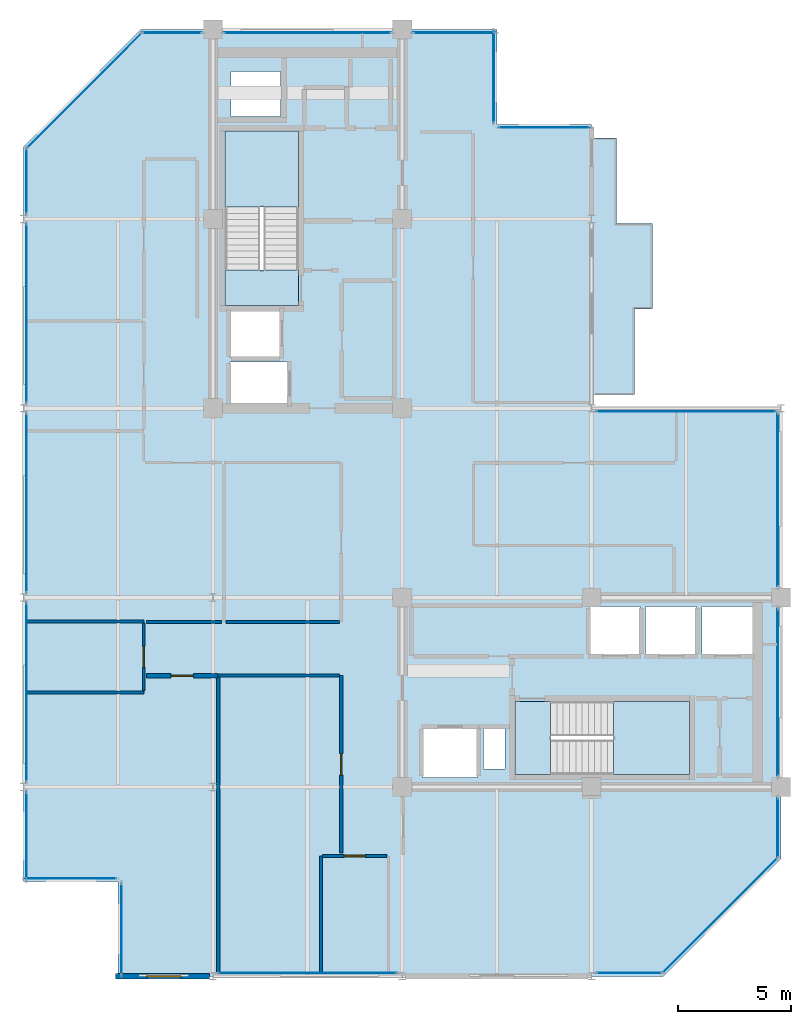
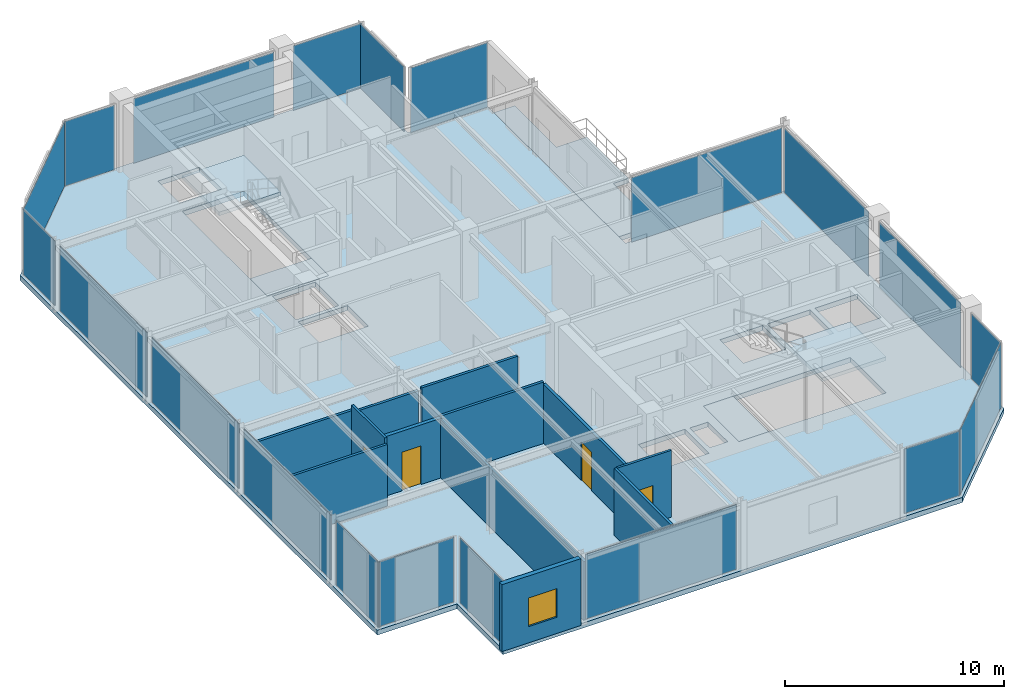
# One storey, part 19 of 24: 20 plates, 12 walls, 6 slabs, 4 doors, 1 window, 5 openings, 22 elements without a shape of their own.
"""IFC4 building model written with IfcOpenShell, lengths in metres."""

from ifc_helpers import new_model, si_unit, direction, frame, frame_2d, origin, origin_2d, place, context, subcontext, project, spatial, polyline, rectangle, outline, extrude, material, layer, layer_set, type_object, element, fill, aggregate, save


model = new_model("IFC4")

# Units and contexts
model_context = context("Model", 3, precision=1e-05, world=origin(), true_north=direction((0.0, 1.0)))
body_context = subcontext(model_context, "Body", "Model", "MODEL_VIEW")
ifc_project = project(units=[si_unit("LENGTHUNIT", "METRE"), si_unit("AREAUNIT", "SQUARE_METRE"), si_unit("VOLUMEUNIT", "CUBIC_METRE"), si_unit("PLANEANGLEUNIT", "RADIAN"), si_unit("MASSUNIT", "GRAM", prefix="KILO")], contexts=[model_context])

# Site, building, storey
site_placement = place(None, origin())
site = spatial("IfcSite", under=ifc_project, at=site_placement, CompositionType="ELEMENT")
building_placement = place(site_placement, origin())
building = spatial("IfcBuilding", under=site, at=building_placement, Name="Nerrivon Quay Data Exchange", CompositionType="ELEMENT")
storey_placement = place(building_placement, frame((0.0, 0.0, 310.199951171875)))
storey = spatial("IfcBuildingStorey", under=building, at=storey_placement, Name="L74", CompositionType="ELEMENT", Elevation=310.199951171875)

# Curtain wall, plate
ifc_material_1 = material(Name="Anodised aluminium 6063-T6", Category="aluminium")
ifc_layer_1 = layer(ifc_material_1, 0.195068359375)
ifc_layer_set_1 = layer_set([ifc_layer_1], Name="Anodised aluminium 6063-T6")
curtain_wall_type = type_object("IfcCurtainWallType", Name="CW-SYS-06", PredefinedType="NOTDEFINED", material=ifc_layer_set_1)
curtain_wall_1_placement = place(storey_placement, origin())
curtain_wall_1 = element("IfcCurtainWall", 1, at=curtain_wall_1_placement, inside=storey, type_object=curtain_wall_type, Name="L74 Unitised Curtain Wall 1", PredefinedType="NOTDEFINED")
ifc_material_2 = material(Name="Double-glazed low-E solar control glass", Category="glass")
ifc_layer_2 = layer(ifc_material_2, 0.028076171875)
ifc_layer_set_2 = layer_set([ifc_layer_2], Name="Double-glazed low-E solar control glass")
plate_type = type_object("IfcPlateType", Name="CWP-GLZ-28", PredefinedType="CURTAIN_PANEL", material=ifc_layer_set_2)
plate_1_placement = place(storey_placement, frame((30.90087890625, 2.698974609375, 0.06494140625), z_axis=(0.0, 0.0, 1.0), x_axis=(-0.707106781187, -0.707106781187, 0.0)))
plate_1 = element("IfcPlate", 2, at=plate_1_placement, type_object=plate_type, Name="CW06 panel 1.1", PredefinedType="CURTAIN_PANEL", context=body_context, shape_type="SweptSolid", body=[
    extrude(rectangle(XDim=7.203857421875, YDim=0.028076171875, at=origin_2d()), origin(), (0.0, 0.0, 1.0), 3.594970703125),
])
aggregate(curtain_wall_1, [plate_1])

curtain_wall_2_placement = place(storey_placement, origin())
curtain_wall_2 = element("IfcCurtainWall", 3, at=curtain_wall_2_placement, inside=storey, type_object=curtain_wall_type, Name="L74 Unitised Curtain Wall 2", PredefinedType="NOTDEFINED")
plate_2_placement = place(storey_placement, frame((26.877685546875, 0.139892578125, 0.06494140625), z_axis=(0.0, 0.0, 1.0), x_axis=(-1.0, 0.0, 0.0)))
plate_2 = element("IfcPlate", 4, at=plate_2_placement, type_object=plate_type, Name="CW06 panel 1.1", PredefinedType="CURTAIN_PANEL", context=body_context, shape_type="SweptSolid", body=[
    extrude(rectangle(XDim=2.89453125, YDim=0.028076171875, at=origin_2d()), origin(), (0.0, 0.0, 1.0), 3.594970703125),
])
aggregate(curtain_wall_2, [plate_2])

curtain_wall_3_placement = place(storey_placement, origin())
curtain_wall_3 = element("IfcCurtainWall", 5, at=curtain_wall_3_placement, inside=storey, type_object=curtain_wall_type, Name="L74 Unitised Curtain Wall 4", PredefinedType="NOTDEFINED")
plate_3_placement = place(storey_placement, frame((12.60009765625, 0.139892578125, 0.06494140625), z_axis=(0.0, 0.0, 1.0), x_axis=(-1.0, 0.0, 0.0)))
plate_3 = element("IfcPlate", 6, at=plate_3_placement, type_object=plate_type, Name="CW06 panel 1.1", PredefinedType="CURTAIN_PANEL", context=body_context, shape_type="SweptSolid", body=[
    extrude(rectangle(XDim=7.93896484375, YDim=0.028076171875, at=origin_2d()), origin(), (0.0, 0.0, 1.0), 3.594970703125),
])
aggregate(curtain_wall_3, [plate_3])

curtain_wall_4_placement = place(storey_placement, origin())
curtain_wall_4 = element("IfcCurtainWall", 7, at=curtain_wall_4_placement, inside=storey, type_object=curtain_wall_type, Name="L74 Unitised Curtain Wall 6", PredefinedType="NOTDEFINED")
plate_4_placement = place(storey_placement, frame((4.340087890625, 2.10009765625, 0.06494140625), z_axis=(0.0, 0.0, 1.0), x_axis=(0.0, 1.0, 0.0)))
plate_4 = element("IfcPlate", 8, at=plate_4_placement, type_object=plate_type, Name="CW06 panel 1.1", PredefinedType="CURTAIN_PANEL", context=body_context, shape_type="SweptSolid", body=[
    extrude(rectangle(XDim=4.050048828125, YDim=0.028076171875, at=origin_2d()), origin(), (0.0, 0.0, 1.0), 3.594970703125),
])
aggregate(curtain_wall_4, [plate_4])

curtain_wall_5_placement = place(storey_placement, origin())
curtain_wall_5 = element("IfcCurtainWall", 9, at=curtain_wall_5_placement, inside=storey, type_object=curtain_wall_type, Name="L74 Unitised Curtain Wall 7", PredefinedType="NOTDEFINED")
plate_5_placement = place(storey_placement, frame((2.10009765625, 4.340087890625, 0.06494140625), z_axis=(0.0, 0.0, 1.0), x_axis=(-1.0, 0.0, 0.0)))
plate_5 = element("IfcPlate", 10, at=plate_5_placement, type_object=plate_type, Name="CW06 panel 1.1", PredefinedType="CURTAIN_PANEL", context=body_context, shape_type="SweptSolid", body=[
    extrude(rectangle(XDim=4.050048828125, YDim=0.028076171875, at=origin_2d()), origin(), (0.0, 0.0, 1.0), 3.594970703125),
])
aggregate(curtain_wall_5, [plate_5])

curtain_wall_6_placement = place(storey_placement, origin())
curtain_wall_6 = element("IfcCurtainWall", 11, at=curtain_wall_6_placement, inside=storey, type_object=curtain_wall_type, Name="L74 Unitised Curtain Wall 8", PredefinedType="NOTDEFINED")
plate_6_placement = place(storey_placement, frame((0.139892578125, 6.21826171875, 0.06494140625), z_axis=(0.0, 0.0, 1.0), x_axis=(0.0, 1.0, 0.0)))
plate_6 = element("IfcPlate", 12, at=plate_6_placement, type_object=plate_type, Name="CW06 panel 1.1", PredefinedType="CURTAIN_PANEL", context=body_context, shape_type="SweptSolid", body=[
    extrude(rectangle(XDim=3.886474609375, YDim=0.028076171875, at=origin_2d()), origin(), (0.0, 0.0, 1.0), 3.594970703125),
])
aggregate(curtain_wall_6, [plate_6])

curtain_wall_7_placement = place(storey_placement, origin())
curtain_wall_7 = element("IfcCurtainWall", 13, at=curtain_wall_7_placement, inside=storey, type_object=curtain_wall_type, Name="L74 Unitised Curtain Wall 9", PredefinedType="NOTDEFINED")
plate_7_placement = place(storey_placement, frame((0.139892578125, 12.60009765625, 0.06494140625), z_axis=(0.0, 0.0, 1.0), x_axis=(0.0, 1.0, 0.0)))
plate_7 = element("IfcPlate", 14, at=plate_7_placement, type_object=plate_type, Name="CW06 panel 1.1", PredefinedType="CURTAIN_PANEL", context=body_context, shape_type="SweptSolid", body=[
    extrude(rectangle(XDim=7.923095703125, YDim=0.028076171875, at=origin_2d()), origin(), (0.0, 0.0, 1.0), 3.594970703125),
])
aggregate(curtain_wall_7, [plate_7])

curtain_wall_8_placement = place(storey_placement, origin())
curtain_wall_8 = element("IfcCurtainWall", 15, at=curtain_wall_8_placement, inside=storey, type_object=curtain_wall_type, Name="L74 Unitised Curtain Wall 10", PredefinedType="NOTDEFINED")
plate_8_placement = place(storey_placement, frame((0.139892578125, 21.0, 0.06494140625), z_axis=(0.0, 0.0, 1.0), x_axis=(0.0, 1.0, 0.0)))
plate_8 = element("IfcPlate", 16, at=plate_8_placement, type_object=plate_type, Name="CW06 panel 1.1", PredefinedType="CURTAIN_PANEL", context=body_context, shape_type="SweptSolid", body=[
    extrude(rectangle(XDim=7.923095703125, YDim=0.028076171875, at=origin_2d()), origin(), (0.0, 0.0, 1.0), 3.594970703125),
])
aggregate(curtain_wall_8, [plate_8])

curtain_wall_9_placement = place(storey_placement, origin())
curtain_wall_9 = element("IfcCurtainWall", 17, at=curtain_wall_9_placement, inside=storey, type_object=curtain_wall_type, Name="L74 Unitised Curtain Wall 11", PredefinedType="NOTDEFINED")
plate_9_placement = place(storey_placement, frame((0.139892578125, 29.39990234375, 0.06494140625), z_axis=(0.0, 0.0, 1.0), x_axis=(0.0, 1.0, 0.0)))
plate_9 = element("IfcPlate", 18, at=plate_9_placement, type_object=plate_type, Name="CW06 panel 1.1", PredefinedType="CURTAIN_PANEL", context=body_context, shape_type="SweptSolid", body=[
    extrude(rectangle(XDim=7.923095703125, YDim=0.028076171875, at=origin_2d()), origin(), (0.0, 0.0, 1.0), 3.594970703125),
])
aggregate(curtain_wall_9, [plate_9])

curtain_wall_10_placement = place(storey_placement, origin())
curtain_wall_10 = element("IfcCurtainWall", 19, at=curtain_wall_10_placement, inside=storey, type_object=curtain_wall_type, Name="L74 Unitised Curtain Wall 12", PredefinedType="NOTDEFINED")
plate_10_placement = place(storey_placement, frame((0.139892578125, 35.28173828125, 0.06494140625), z_axis=(0.0, 0.0, 1.0), x_axis=(0.0, 1.0, 0.0)))
plate_10 = element("IfcPlate", 20, at=plate_10_placement, type_object=plate_type, Name="CW06 panel 1.1", PredefinedType="CURTAIN_PANEL", context=body_context, shape_type="SweptSolid", body=[
    extrude(rectangle(XDim=2.886474609375, YDim=0.028076171875, at=origin_2d()), origin(), (0.0, 0.0, 1.0), 3.594970703125),
])
aggregate(curtain_wall_10, [plate_10])

curtain_wall_11_placement = place(storey_placement, origin())
curtain_wall_11 = element("IfcCurtainWall", 21, at=curtain_wall_11_placement, inside=storey, type_object=curtain_wall_type, Name="L74 Unitised Curtain Wall 13", PredefinedType="NOTDEFINED")
plate_11_placement = place(storey_placement, frame((2.698974609375, 39.301025390625, 0.06494140625), z_axis=(0.0, 0.0, 1.0), x_axis=(0.707106781187, 0.707106781187, 0.0)))
plate_11 = element("IfcPlate", 22, at=plate_11_placement, type_object=plate_type, Name="CW06 panel 1.1", PredefinedType="CURTAIN_PANEL", context=body_context, shape_type="SweptSolid", body=[
    extrude(rectangle(XDim=7.203857421875, YDim=0.028076171875, at=origin_2d()), origin(), (0.0, 0.0, 1.0), 3.594970703125),
])
aggregate(curtain_wall_11, [plate_11])

curtain_wall_12_placement = place(storey_placement, origin())
curtain_wall_12 = element("IfcCurtainWall", 23, at=curtain_wall_12_placement, inside=storey, type_object=curtain_wall_type, Name="L74 Unitised Curtain Wall 14", PredefinedType="NOTDEFINED")
plate_12_placement = place(storey_placement, frame((6.58740234375, 41.860107421875, 0.06494140625), z_axis=(0.0, 0.0, 1.0), x_axis=(1.0, 0.0, 0.0)))
plate_12 = element("IfcPlate", 24, at=plate_12_placement, type_object=plate_type, Name="CW06 panel 1.1", PredefinedType="CURTAIN_PANEL", context=body_context, shape_type="SweptSolid", body=[
    extrude(rectangle(XDim=2.625, YDim=0.028076171875, at=origin_2d()), origin(), (0.0, 0.0, 1.0), 3.594970703125),
])
aggregate(curtain_wall_12, [plate_12])

curtain_wall_13_placement = place(storey_placement, origin())
curtain_wall_13 = element("IfcCurtainWall", 25, at=curtain_wall_13_placement, inside=storey, type_object=curtain_wall_type, Name="L74 Unitised Curtain Wall 15", PredefinedType="NOTDEFINED")
plate_13_placement = place(storey_placement, frame((12.60009765625, 41.860107421875, 0.06494140625), z_axis=(0.0, 0.0, 1.0), x_axis=(1.0, 0.0, 0.0)))
plate_13 = element("IfcPlate", 26, at=plate_13_placement, type_object=plate_type, Name="CW06 panel 1.1", PredefinedType="CURTAIN_PANEL", context=body_context, shape_type="SweptSolid", body=[
    extrude(rectangle(XDim=7.39990234375, YDim=0.028076171875, at=origin_2d()), origin(), (0.0, 0.0, 1.0), 3.594970703125),
])
aggregate(curtain_wall_13, [plate_13])

curtain_wall_14_placement = place(storey_placement, origin())
curtain_wall_14 = element("IfcCurtainWall", 27, at=curtain_wall_14_placement, inside=storey, type_object=curtain_wall_type, Name="L74 Unitised Curtain Wall 16", PredefinedType="NOTDEFINED")
plate_14_placement = place(storey_placement, frame((19.112548828125, 41.860107421875, 0.06494140625), z_axis=(0.0, 0.0, 1.0), x_axis=(1.0, 0.0, 0.0)))
plate_14 = element("IfcPlate", 28, at=plate_14_placement, type_object=plate_type, Name="CW06 panel 1.1", PredefinedType="CURTAIN_PANEL", context=body_context, shape_type="SweptSolid", body=[
    extrude(rectangle(XDim=3.625, YDim=0.028076171875, at=origin_2d()), origin(), (0.0, 0.0, 1.0), 3.594970703125),
])
aggregate(curtain_wall_14, [plate_14])

curtain_wall_15_placement = place(storey_placement, origin())
curtain_wall_15 = element("IfcCurtainWall", 29, at=curtain_wall_15_placement, inside=storey, type_object=curtain_wall_type, Name="L74 Unitised Curtain Wall 17", PredefinedType="NOTDEFINED")
plate_15_placement = place(storey_placement, frame((20.860107421875, 39.89990234375, 0.06494140625), z_axis=(0.0, 0.0, 1.0), x_axis=(0.0, -1.0, 0.0)))
plate_15 = element("IfcPlate", 30, at=plate_15_placement, type_object=plate_type, Name="CW06 panel 1.1", PredefinedType="CURTAIN_PANEL", context=body_context, shape_type="SweptSolid", body=[
    extrude(rectangle(XDim=4.050048828125, YDim=0.028076171875, at=origin_2d()), origin(), (0.0, 0.0, 1.0), 3.594970703125),
])
aggregate(curtain_wall_15, [plate_15])

curtain_wall_16_placement = place(storey_placement, origin())
curtain_wall_16 = element("IfcCurtainWall", 31, at=curtain_wall_16_placement, inside=storey, type_object=curtain_wall_type, Name="L74 Unitised Curtain Wall 18", PredefinedType="NOTDEFINED")
plate_16_placement = place(storey_placement, frame((23.10009765625, 37.659912109375, 0.06494140625), z_axis=(0.0, 0.0, 1.0), x_axis=(1.0, 0.0, 0.0)))
plate_16 = element("IfcPlate", 32, at=plate_16_placement, type_object=plate_type, Name="CW06 panel 1.1", PredefinedType="CURTAIN_PANEL", context=body_context, shape_type="SweptSolid", body=[
    extrude(rectangle(XDim=4.050048828125, YDim=0.028076171875, at=origin_2d()), origin(), (0.0, 0.0, 1.0), 3.594970703125),
])
aggregate(curtain_wall_16, [plate_16])

curtain_wall_17_placement = place(storey_placement, origin())
curtain_wall_17 = element("IfcCurtainWall", 33, at=curtain_wall_17_placement, inside=storey, type_object=curtain_wall_type, Name="L74 Unitised Curtain Wall 21", PredefinedType="NOTDEFINED")
plate_17_placement = place(storey_placement, frame((29.39990234375, 25.06005859375, 0.06494140625), z_axis=(0.0, 0.0, 1.0), x_axis=(1.0, 0.0, 0.0)))
plate_17 = element("IfcPlate", 34, at=plate_17_placement, type_object=plate_type, Name="CW06 panel 1.1", PredefinedType="CURTAIN_PANEL", context=body_context, shape_type="SweptSolid", body=[
    extrude(rectangle(XDim=7.93896484375, YDim=0.028076171875, at=origin_2d()), origin(), (0.0, 0.0, 1.0), 3.594970703125),
])
aggregate(curtain_wall_17, [plate_17])

curtain_wall_18_placement = place(storey_placement, origin())
curtain_wall_18 = element("IfcCurtainWall", 35, at=curtain_wall_18_placement, inside=storey, type_object=curtain_wall_type, Name="L74 Unitised Curtain Wall 22", PredefinedType="NOTDEFINED")
plate_18_placement = place(storey_placement, frame((33.4599609375, 21.130859375, 0.06494140625), z_axis=(0.0, 0.0, 1.0), x_axis=(0.0, -1.0, 0.0)))
plate_18 = element("IfcPlate", 36, at=plate_18_placement, type_object=plate_type, Name="CW06 panel 1.1", PredefinedType="CURTAIN_PANEL", context=body_context, shape_type="SweptSolid", body=[
    extrude(rectangle(XDim=7.66162109375, YDim=0.028076171875, at=origin_2d()), origin(), (0.0, 0.0, 1.0), 3.594970703125),
])
aggregate(curtain_wall_18, [plate_18])

curtain_wall_19_placement = place(storey_placement, origin())
curtain_wall_19 = element("IfcCurtainWall", 37, at=curtain_wall_19_placement, inside=storey, type_object=curtain_wall_type, Name="L74 Unitised Curtain Wall 23", PredefinedType="NOTDEFINED")
plate_19_placement = place(storey_placement, frame((33.4599609375, 12.60009765625, 0.06494140625), z_axis=(0.0, 0.0, 1.0), x_axis=(0.0, -1.0, 0.0)))
plate_19 = element("IfcPlate", 38, at=plate_19_placement, type_object=plate_type, Name="CW06 panel 1.1", PredefinedType="CURTAIN_PANEL", context=body_context, shape_type="SweptSolid", body=[
    extrude(rectangle(XDim=7.39990234375, YDim=0.028076171875, at=origin_2d()), origin(), (0.0, 0.0, 1.0), 3.594970703125),
])
aggregate(curtain_wall_19, [plate_19])

curtain_wall_20_placement = place(storey_placement, origin())
curtain_wall_20 = element("IfcCurtainWall", 39, at=curtain_wall_20_placement, inside=storey, type_object=curtain_wall_type, Name="L74 Unitised Curtain Wall 24", PredefinedType="NOTDEFINED")
plate_20_placement = place(storey_placement, frame((33.4599609375, 6.58740234375, 0.06494140625), z_axis=(0.0, 0.0, 1.0), x_axis=(0.0, -1.0, 0.0)))
plate_20 = element("IfcPlate", 40, at=plate_20_placement, type_object=plate_type, Name="CW06 panel 1.1", PredefinedType="CURTAIN_PANEL", context=body_context, shape_type="SweptSolid", body=[
    extrude(rectangle(XDim=2.625, YDim=0.028076171875, at=origin_2d()), origin(), (0.0, 0.0, 1.0), 3.594970703125),
])
aggregate(curtain_wall_20, [plate_20])

# Slab
ifc_material_3 = material(Name="Precast white architectural concrete N50 (50 MPa)", Category="concrete")
ifc_layer_3 = layer(ifc_material_3, 0.25)
ifc_layer_set_3 = layer_set([ifc_layer_3], Name="Precast white architectural concrete N50 (50 MPa)")
slab_type_1 = type_object("IfcSlabType", Name="SLB-BAL-250", PredefinedType="FLOOR", material=ifc_layer_set_3)
slab_1_placement = place(storey_placement, frame((0.0, 0.0, -0.25)))
element("IfcSlab", 41, at=slab_1_placement, inside=storey, type_object=slab_type_1, Name="L74 Waterfront Subtropical Verandah", PredefinedType="FLOOR", context=body_context, shape_type="SweptSolid", body=[
    extrude(outline(polyline([(27.10009765625, 29.60009765625), (27.89990234375, 29.60009765625), (27.89990234375, 33.39990234375), (26.300048828125, 33.39990234375), (26.300048828125, 37.199951171875), (25.199951171875, 37.199951171875), (25.199951171875, 33.39990234375), (25.199951171875, 29.60009765625), (25.199951171875, 25.800048828125), (27.10009765625, 25.800048828125), (27.10009765625, 29.60009765625)])), origin(), (0.0, 0.0, 1.0), 0.25),
])

# Stair, slab
ifc_material_4 = material(Name="Concrete N50 (50 MPa)", Category="concrete")
stair_type = type_object("IfcStairType", Name="STAIR-DOG-40", PredefinedType="HALF_TURN_STAIR", material=ifc_material_4)
stair_1_placement = place(storey_placement, origin())
stair_1 = element("IfcStair", 42, at=stair_1_placement, inside=storey, type_object=stair_type, Name="L74 West Core Fire Stair ST01", PredefinedType="HALF_TURN_STAIR")
ifc_layer_4 = layer(ifc_material_4, 0.199951171875)
ifc_layer_set_4 = layer_set([ifc_layer_4], Name="Concrete N50 (50 MPa)")
slab_type_2 = type_object("IfcSlabType", Name="SLB-LAND-200", PredefinedType="LANDING", material=ifc_layer_set_4)
slab_2_placement = place(storey_placement, frame((0.0, 0.0, 1.800048828125)))
slab_2 = element("IfcSlab", 43, at=slab_2_placement, type_object=slab_type_2, Name="ST01 landing 1", PredefinedType="LANDING", context=body_context, shape_type="SweptSolid", body=[
    extrude(outline(polyline([(12.199951171875, 34.1298828125), (12.199951171875, 37.5), (8.949951171875, 37.5), (8.949951171875, 34.1298828125), (12.199951171875, 34.1298828125)])), origin(), (0.0, 0.0, 1.0), 0.199951171875),
])
aggregate(stair_1, [slab_2])

# Slab
slab_3_placement = place(storey_placement, frame((0.0, 0.0, -0.199951171875)))
element("IfcSlab", 44, at=slab_3_placement, inside=storey, type_object=slab_type_2, Name="L74 ST01 floor landing", PredefinedType="LANDING", context=body_context, shape_type="SweptSolid", body=[
    extrude(outline(polyline([(12.199951171875, 29.75), (12.199951171875, 31.330078125), (8.949951171875, 31.330078125), (8.949951171875, 29.75), (12.199951171875, 29.75)])), origin(), (0.0, 0.0, 1.0), 0.199951171875),
])

# Stair, slab
stair_2_placement = place(storey_placement, origin())
stair_2 = element("IfcStair", 45, at=stair_2_placement, inside=storey, type_object=stair_type, Name="L74 East Core Fire Stair ST02", PredefinedType="HALF_TURN_STAIR")
slab_4_placement = place(storey_placement, frame((0.0, 0.0, 1.800048828125)))
slab_4 = element("IfcSlab", 46, at=slab_4_placement, type_object=slab_type_2, Name="ST02 landing 1", PredefinedType="LANDING", context=body_context, shape_type="SweptSolid", body=[
    extrude(outline(polyline([(26.179931640625, 8.949951171875), (29.550048828125, 8.949951171875), (29.550048828125, 12.199951171875), (26.179931640625, 12.199951171875), (26.179931640625, 8.949951171875)])), origin(), (0.0, 0.0, 1.0), 0.199951171875),
])
aggregate(stair_2, [slab_4])

# Slabs
slab_5_placement = place(storey_placement, frame((0.0, 0.0, -0.199951171875)))
element("IfcSlab", 47, at=slab_5_placement, inside=storey, type_object=slab_type_2, Name="L74 ST02 floor landing", PredefinedType="LANDING", context=body_context, shape_type="SweptSolid", body=[
    extrude(outline(polyline([(21.800048828125, 8.949951171875), (23.3798828125, 8.949951171875), (23.3798828125, 12.199951171875), (21.800048828125, 12.199951171875), (21.800048828125, 8.949951171875)])), origin(), (0.0, 0.0, 1.0), 0.199951171875),
])
ifc_layer_5 = layer(ifc_material_4, 0.27490234375)
ifc_layer_set_5 = layer_set([ifc_layer_5], Name="Concrete N50 (50 MPa)")
slab_type_3 = type_object("IfcSlabType", Name="SLB-TOW-275", PredefinedType="FLOOR", material=ifc_layer_set_5)
slab_6_placement = place(storey_placement, frame((0.0, 0.0, -0.27490234375)))
element("IfcSlab", 48, at=slab_6_placement, inside=storey, type_object=slab_type_3, Name="L74 Primary Structural Slab", PredefinedType="FLOOR", context=body_context, shape_type="SweptSolid", body=[
    extrude(outline(polyline([(33.60009765625, 25.199951171875), (25.199951171875, 25.199951171875), (25.199951171875, 37.800048828125), (21.0, 37.800048828125), (21.0, 42.0), (5.199951171875, 42.0), (0.0, 36.800048828125), (0.0, 4.199951171875), (4.199951171875, 4.199951171875), (4.199951171875, 0.0), (28.39990234375, 0.0), (33.60009765625, 5.199951171875), (33.60009765625, 25.199951171875)]), holes=[polyline([(8.949951171875, 29.75), (8.949951171875, 37.5), (12.199951171875, 37.5), (12.199951171875, 29.75), (8.949951171875, 29.75)]), polyline([(21.800048828125, 12.199951171875), (29.550048828125, 12.199951171875), (29.550048828125, 8.949951171875), (21.800048828125, 8.949951171875), (21.800048828125, 12.199951171875)]), polyline([(30.10009765625, 14.25), (30.10009765625, 16.39990234375), (32.35009765625, 16.39990234375), (32.35009765625, 14.25), (30.10009765625, 14.25)]), polyline([(27.60009765625, 14.25), (27.60009765625, 16.39990234375), (29.85009765625, 16.39990234375), (29.85009765625, 14.25), (27.60009765625, 14.25)]), polyline([(25.10009765625, 14.25), (25.10009765625, 16.39990234375), (27.35009765625, 16.39990234375), (27.35009765625, 14.25), (25.10009765625, 14.25)]), polyline([(20.39990234375, 9.199951171875), (20.39990234375, 11.0), (21.35009765625, 11.0), (21.35009765625, 9.199951171875), (20.39990234375, 9.199951171875)]), polyline([(17.699951171875, 8.830078125), (17.699951171875, 11.030029296875), (20.14990234375, 11.030029296875), (20.14990234375, 8.830078125), (17.699951171875, 8.830078125)]), polyline([(9.14990234375, 25.35009765625), (9.14990234375, 27.25), (11.75, 27.25), (11.75, 25.35009765625), (9.14990234375, 25.35009765625)]), polyline([(9.14990234375, 27.449951171875), (9.14990234375, 29.60009765625), (11.39990234375, 29.60009765625), (11.39990234375, 27.449951171875), (9.14990234375, 27.449951171875)]), polyline([(9.199951171875, 38.14990234375), (9.199951171875, 40.14990234375), (11.39990234375, 40.14990234375), (11.39990234375, 38.14990234375), (9.199951171875, 38.14990234375)])]), origin(), (0.0, 0.0, 1.0), 0.27490234375),
])

# Wall, opening, window
ifc_material_5 = material(Name="Architectural terracotta precast concrete N50 (50 MPa)", Category="masonry")
ifc_layer_6 = layer(ifc_material_5, 0.239990234375)
ifc_layer_set_6 = layer_set([ifc_layer_6], Name="Architectural terracotta precast concrete N50 (50 MPa)")
wall_type_1 = type_object("IfcWallType", Name="EW-PREC-240", PredefinedType="STANDARD", material=ifc_layer_set_6)
wall_1_placement = place(storey_placement, frame((8.244384765625, 0.0, 0.0), z_axis=(0.0, 0.0, 1.0), x_axis=(-1.0, 0.0, 0.0)))
wall_1 = element("IfcWall", 49, at=wall_1_placement, inside=storey, type_object=wall_type_1, Name="L74 Podium Precast Spandrel Wall 5", PredefinedType="STANDARD", context=body_context, shape_type="SweptSolid", body=[
    extrude(rectangle(XDim=4.164306640625, YDim=0.239990234375, at=frame_2d((2.08203125, 0.0))), origin(), (0.0, 0.0, 1.0), 3.72509765625),
])
opening_1_placement = place(wall_1_placement, frame((1.267333984375, 0.0, 0.89990234375)))
opening_1 = element("IfcOpeningElement", 50, at=opening_1_placement, cuts=wall_1, Name="Opening WN4", PredefinedType="OPENING", context=body_context, shape_type="SweptSolid", body=[
    extrude(rectangle(XDim=1.5, YDim=1.60009765625, at=frame_2d((0.75, 0.800048828125))), frame((0.0, 0.1298828125, 0.0), z_axis=(0.0, -1.0, 0.0), x_axis=(1.0, 0.0, 0.0)), (0.0, 0.0, 1.0), 0.260009765625),
])
window_type = type_object("IfcWindowType", Name="WIN-W4-1500x1600", PartitioningType="SINGLE_PANEL", PredefinedType="WINDOW", material=ifc_material_2)
window_placement = place(opening_1_placement, origin())
window = element("IfcWindow", 51, at=window_placement, inside=storey, type_object=window_type, Name="L74 Solar Facade Window 5", OverallHeight=1.60009765625, OverallWidth=1.5, PartitioningType="SINGLE_PANEL", PredefinedType="WINDOW", context=body_context, shape_type="SweptSolid", body=[
    extrude(rectangle(XDim=1.5, YDim=1.60009765625, at=frame_2d((0.75, 0.800048828125))), frame((0.0, 0.030029296875, 0.0), z_axis=(0.0, -1.0, 0.0), x_axis=(1.0, 0.0, 0.0)), (0.0, 0.0, 1.0), 0.06005859375),
])
fill(opening_1, window)

# Wall, opening, door
ifc_material_6 = material(Name="Gypsum plasterboard on cold-formed framing", Category="gypsum")
ifc_layer_7 = layer(ifc_material_6, 0.199951171875)
ifc_layer_set_7 = layer_set([ifc_layer_7], Name="Gypsum plasterboard on cold-formed framing")
wall_type_2 = type_object("IfcWallType", Name="WALL-FW-200", PredefinedType="PARTITIONING", material=ifc_layer_set_7)
wall_2_placement = place(storey_placement, frame((8.614013671875, 13.340087890625, 0.0), z_axis=(0.0, 0.0, 1.0), x_axis=(-1.0, 0.0, 0.0)))
wall_2 = element("IfcWall", 52, at=wall_2_placement, inside=storey, type_object=wall_type_2, Name="L74 Partition Colocation Data Workspace 1", PredefinedType="PARTITIONING", context=body_context, shape_type="SweptSolid", body=[
    extrude(rectangle(XDim=3.154052734375, YDim=0.199951171875, at=frame_2d((1.5771484375, 0.0))), origin(), (0.0, 0.0, 1.0), 3.319091796875),
])
opening_2_placement = place(wall_2_placement, frame((1.076904296875, 0.0, 0.0)))
opening_2 = element("IfcOpeningElement", 53, at=opening_2_placement, cuts=wall_2, Name="Opening FD-60", PredefinedType="OPENING", context=body_context, shape_type="SweptSolid", body=[
    extrude(rectangle(XDim=1.0, YDim=2.14990234375, at=frame_2d((0.5, 1.074951171875))), frame((0.0, 0.10986328125, 0.0), z_axis=(0.0, -1.0, 0.0), x_axis=(1.0, 0.0, 0.0)), (0.0, 0.0, 1.0), 0.219970703125),
])
ifc_material_7 = material(Name="Engineered hardwood timber", Category="wood")
door_type_1 = type_object("IfcDoorType", Name="DR-FD60-1000", OperationType="NOTDEFINED", PredefinedType="DOOR", material=ifc_material_7)
door_1_placement = place(opening_2_placement, origin())
door_1 = element("IfcDoor", 54, at=door_1_placement, inside=storey, type_object=door_type_1, Name="L74 Door Colocation Data Workspace 1", OperationType="SINGLE_SWING_LEFT", OverallHeight=2.14990234375, OverallWidth=1.0, PredefinedType="DOOR", context=body_context, shape_type="SweptSolid", body=[
    extrude(rectangle(XDim=1.0, YDim=2.14990234375, at=frame_2d((0.5, 1.074951171875))), frame((0.0, 0.02490234375, 0.0), z_axis=(0.0, -1.0, 0.0), x_axis=(1.0, 0.0, 0.0)), (0.0, 0.0, 1.0), 0.050048828125),
])
fill(opening_2, door_1)

ifc_layer_8 = layer(ifc_material_6, 0.1201171875)
ifc_layer_set_8 = layer_set([ifc_layer_8], Name="Gypsum plasterboard on cold-formed framing")
wall_type_3 = type_object("IfcWallType", Name="WALL-PT-120", PredefinedType="PARTITIONING", material=ifc_layer_set_8)
wall_3_placement = place(storey_placement, frame((5.340087890625, 12.67138671875, 0.0), z_axis=(0.0, 0.0, 1.0), x_axis=(0.0, 1.0, 0.0)))
wall_3 = element("IfcWall", 55, at=wall_3_placement, inside=storey, type_object=wall_type_3, Name="L74 Partition Accessible Toilet", PredefinedType="PARTITIONING", context=body_context, shape_type="SweptSolid", body=[
    extrude(rectangle(XDim=3.007080078125, YDim=0.1201171875, at=frame_2d((1.50341796875, 0.0))), origin(), (0.0, 0.0, 1.0), 3.72509765625),
])
opening_3_placement = place(wall_3_placement, frame((1.04345703125, 0.0, 0.0)))
opening_3 = element("IfcOpeningElement", 56, at=opening_3_placement, cuts=wall_3, Name="Opening D-WC", PredefinedType="OPENING", context=body_context, shape_type="SweptSolid", body=[
    extrude(rectangle(XDim=0.919921875, YDim=2.10009765625, at=frame_2d((0.4599609375, 1.050048828125))), frame((0.0, 0.070068359375, 0.0), z_axis=(0.0, -1.0, 0.0), x_axis=(1.0, 0.0, 0.0)), (0.0, 0.0, 1.0), 0.14013671875),
])
door_type_2 = type_object("IfcDoorType", Name="DR-WC-920", OperationType="NOTDEFINED", PredefinedType="DOOR", material=ifc_material_7)
door_2_placement = place(opening_3_placement, origin())
door_2 = element("IfcDoor", 57, at=door_2_placement, inside=storey, type_object=door_type_2, Name="L74 Door Accessible Toilet", OperationType="SINGLE_SWING_RIGHT", OverallHeight=2.10009765625, OverallWidth=0.919921875, PredefinedType="DOOR", context=body_context, shape_type="SweptSolid", body=[
    extrude(rectangle(XDim=0.919921875, YDim=2.10009765625, at=frame_2d((0.4599609375, 1.050048828125))), frame((0.0, 0.02490234375, 0.0), z_axis=(0.0, -1.0, 0.0), x_axis=(1.0, 0.0, 0.0)), (0.0, 0.0, 1.0), 0.050048828125),
])
fill(opening_3, door_2)

wall_4_placement = place(storey_placement, frame((16.12841796875, 5.340087890625, 0.0), z_axis=(0.0, 0.0, 1.0), x_axis=(-1.0, 0.0, 0.0)))
wall_4 = element("IfcWall", 58, at=wall_4_placement, inside=storey, type_object=wall_type_3, Name="L74 Partition Public Washrooms", PredefinedType="PARTITIONING", context=body_context, shape_type="SweptSolid", body=[
    extrude(rectangle(XDim=2.85693359375, YDim=0.1201171875, at=frame_2d((1.428466796875, 0.0))), origin(), (0.0, 0.0, 1.0), 3.72509765625),
])
opening_4_placement = place(wall_4_placement, frame((0.968505859375, 0.0, 0.0)))
opening_4 = element("IfcOpeningElement", 59, at=opening_4_placement, cuts=wall_4, Name="Opening D-WC", PredefinedType="OPENING", context=body_context, shape_type="SweptSolid", body=[
    extrude(rectangle(XDim=0.919921875, YDim=2.10009765625, at=frame_2d((0.4599609375, 1.050048828125))), frame((0.0, 0.070068359375, 0.0), z_axis=(0.0, -1.0, 0.0), x_axis=(1.0, 0.0, 0.0)), (0.0, 0.0, 1.0), 0.14013671875),
])
door_3_placement = place(opening_4_placement, origin())
door_3 = element("IfcDoor", 60, at=door_3_placement, inside=storey, type_object=door_type_2, Name="L74 Door Public Washrooms", OperationType="SINGLE_SWING_LEFT", OverallHeight=2.10009765625, OverallWidth=0.919921875, PredefinedType="DOOR", context=body_context, shape_type="SweptSolid", body=[
    extrude(rectangle(XDim=0.919921875, YDim=2.10009765625, at=frame_2d((0.4599609375, 1.050048828125))), frame((0.0, 0.02490234375, 0.0), z_axis=(0.0, -1.0, 0.0), x_axis=(1.0, 0.0, 0.0)), (0.0, 0.0, 1.0), 0.050048828125),
])
fill(opening_4, door_3)

# Walls
ifc_layer_9 = layer(ifc_material_6, 0.135009765625)
ifc_layer_set_9 = layer_set([ifc_layer_9], Name="Gypsum plasterboard on cold-formed framing")
wall_type_4 = type_object("IfcWallType", Name="WALL-PT-135", PredefinedType="PARTITIONING", material=ifc_layer_set_9)
for number, where, z_axis, x_axis, name in (
    (61, (5.340087890625, 15.75, 0.0), (0.0, 0.0, 1.0), (-1.0, 0.0, 0.0), "L74 Partition Accessible Toilet"),
    (62, (0.1689453125, 12.60009765625, 0.0), (0.0, 0.0, 1.0), (1.0, 0.0, 0.0), "L74 Partition Accessible Toilet"),
):
    element("IfcWall", number, at=place(storey_placement, frame(where, z_axis=z_axis, x_axis=x_axis)), inside=storey, type_object=wall_type_4, Name=name, PredefinedType="PARTITIONING", context=body_context, shape_type="SweptSolid", body=[
        extrude(rectangle(XDim=5.171142578125, YDim=0.135009765625, at=frame_2d((2.58544921875, 0.0))), origin(), (0.0, 0.0, 1.0), 3.421142578125),
    ])
wall_5_placement = place(storey_placement, frame((13.199951171875, 5.340087890625, 0.0), z_axis=(0.0, 0.0, 1.0), x_axis=(0.0, -1.0, 0.0)))
element("IfcWall", 63, at=wall_5_placement, inside=storey, type_object=wall_type_4, Name="L74 Partition Public Washrooms", PredefinedType="PARTITIONING", context=body_context, shape_type="SweptSolid", body=[
    extrude(rectangle(XDim=5.171142578125, YDim=0.135009765625, at=frame_2d((2.58544921875, 0.0))), origin(), (0.0, 0.0, 1.0), 3.72509765625),
])
wall_6_placement = place(storey_placement, frame((8.97216796875, 15.7099609375, 0.0), z_axis=(0.0, 0.0, 1.0), x_axis=(1.0, 0.0, 0.0)))
element("IfcWall", 64, at=wall_6_placement, inside=storey, type_object=wall_type_4, Name="L74 Partition Network Security Control", PredefinedType="PARTITIONING", context=body_context, shape_type="SweptSolid", body=[
    extrude(rectangle(XDim=5.038818359375, YDim=0.135009765625, at=frame_2d((2.51953125, 0.0))), origin(), (0.0, 0.0, 1.0), 3.421142578125),
])
wall_7_placement = place(storey_placement, frame((14.010986328125, 13.340087890625, 0.0), z_axis=(0.0, 0.0, 1.0), x_axis=(-1.0, 0.0, 0.0)))
element("IfcWall", 65, at=wall_7_placement, inside=storey, type_object=wall_type_4, Name="L74 Partition Mail and Crew Room", PredefinedType="PARTITIONING", context=body_context, shape_type="SweptSolid", body=[
    extrude(rectangle(XDim=5.377197265625, YDim=0.135009765625, at=frame_2d((2.6884765625, 0.0))), origin(), (0.0, 0.0, 1.0), 3.421142578125),
])
wall_8_placement = place(storey_placement, frame((5.4599609375, 15.7099609375, 0.0), z_axis=(0.0, 0.0, 1.0), x_axis=(1.0, 0.0, 0.0)))
element("IfcWall", 66, at=wall_8_placement, inside=storey, type_object=wall_type_4, Name="L74 Partition Client Conference Room 1", PredefinedType="PARTITIONING", context=body_context, shape_type="SweptSolid", body=[
    extrude(rectangle(XDim=3.313232421875, YDim=0.135009765625, at=frame_2d((1.65673828125, 0.0))), origin(), (0.0, 0.0, 1.0), 3.319091796875),
])

# Wall, opening, door
ifc_layer_10 = layer(ifc_material_6, 0.14990234375)
ifc_layer_set_10 = layer_set([ifc_layer_10], Name="Gypsum plasterboard on cold-formed framing")
wall_type_5 = type_object("IfcWallType", Name="WALL-PT-150", PredefinedType="PARTITIONING", material=ifc_layer_set_10)
wall_9_placement = place(storey_placement, frame((14.090087890625, 5.4599609375, 0.0), z_axis=(0.0, 0.0, 1.0), x_axis=(0.0, 1.0, 0.0)))
wall_9 = element("IfcWall", 67, at=wall_9_placement, inside=storey, type_object=wall_type_5, Name="L74 Partition Mail and Crew Room", PredefinedType="PARTITIONING", context=body_context, shape_type="SweptSolid", body=[
    extrude(rectangle(XDim=7.880126953125, YDim=0.14990234375, at=frame_2d((3.93994140625, 0.0))), origin(), (0.0, 0.0, 1.0), 3.27099609375),
])
opening_5_placement = place(wall_9_placement, frame((3.465087890625, 0.0, 0.0)))
opening_5 = element("IfcOpeningElement", 68, at=opening_5_placement, cuts=wall_9, Name="Opening D-01", PredefinedType="OPENING", context=body_context, shape_type="SweptSolid", body=[
    extrude(rectangle(XDim=0.949951171875, YDim=2.14990234375, at=frame_2d((0.47509765625, 1.074951171875))), frame((0.0, 0.0849609375, 0.0), z_axis=(0.0, -1.0, 0.0), x_axis=(1.0, 0.0, 0.0)), (0.0, 0.0, 1.0), 0.169921875),
])
door_type_3 = type_object("IfcDoorType", Name="DR-INT-950", OperationType="NOTDEFINED", PredefinedType="DOOR", material=ifc_material_7)
door_4_placement = place(opening_5_placement, origin())
door_4 = element("IfcDoor", 69, at=door_4_placement, inside=storey, type_object=door_type_3, Name="L74 Door Mail and Crew Room", OperationType="SINGLE_SWING_RIGHT", OverallHeight=2.14990234375, OverallWidth=0.949951171875, PredefinedType="DOOR", context=body_context, shape_type="SweptSolid", body=[
    extrude(rectangle(XDim=0.949951171875, YDim=2.14990234375, at=frame_2d((0.47509765625, 1.074951171875))), frame((0.0, 0.02490234375, 0.0), z_axis=(0.0, -1.0, 0.0), x_axis=(1.0, 0.0, 0.0)), (0.0, 0.0, 1.0), 0.050048828125),
])
fill(opening_5, door_4)

# Wall
wall_10_placement = place(storey_placement, frame((8.6337890625, 13.2685546875, 0.0), z_axis=(0.0, 0.0, 1.0), x_axis=(0.0, -1.0, 0.0)))
element("IfcWall", 70, at=wall_10_placement, inside=storey, type_object=wall_type_5, Name="L74 Partition Mail and Crew Room", PredefinedType="PARTITIONING", context=body_context, shape_type="SweptSolid", body=[
    extrude(rectangle(XDim=13.099609375, YDim=0.14990234375, at=frame_2d((6.5498046875, 0.0))), origin(), (0.0, 0.0, 1.0), 3.27099609375),
])

save(model, "model.ifc")
